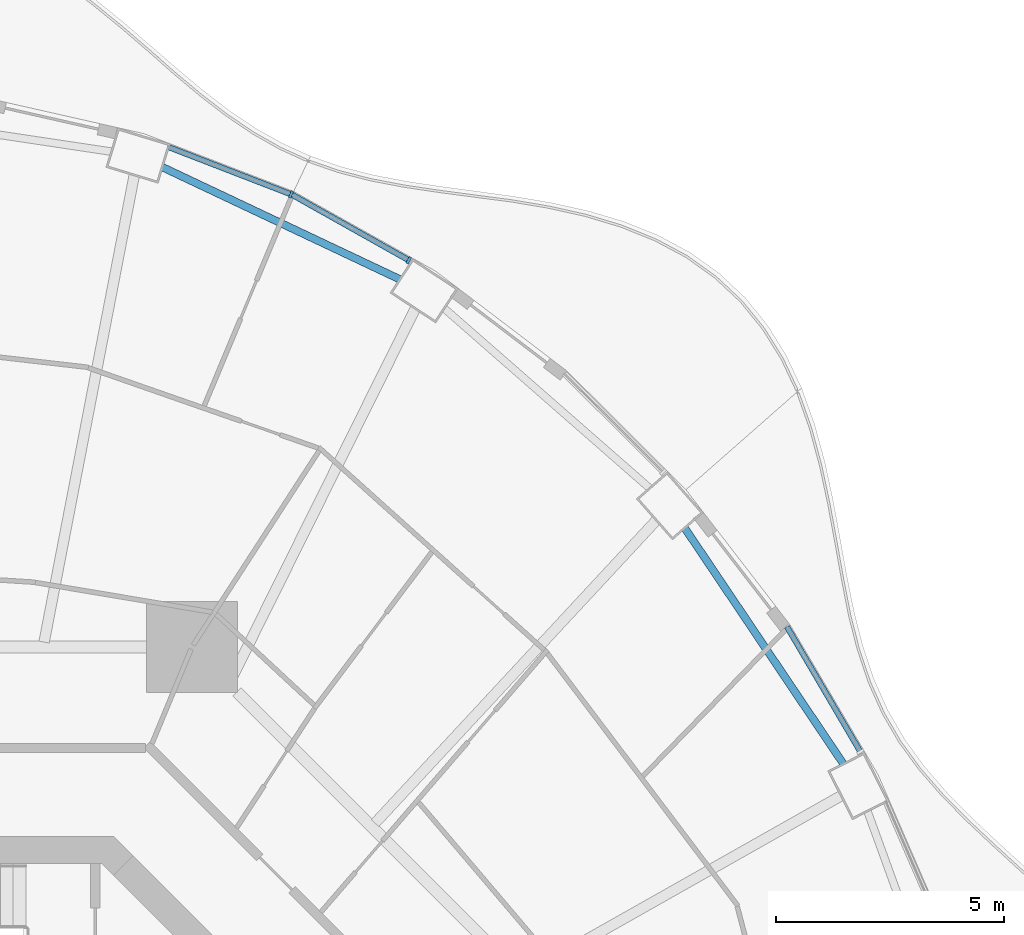
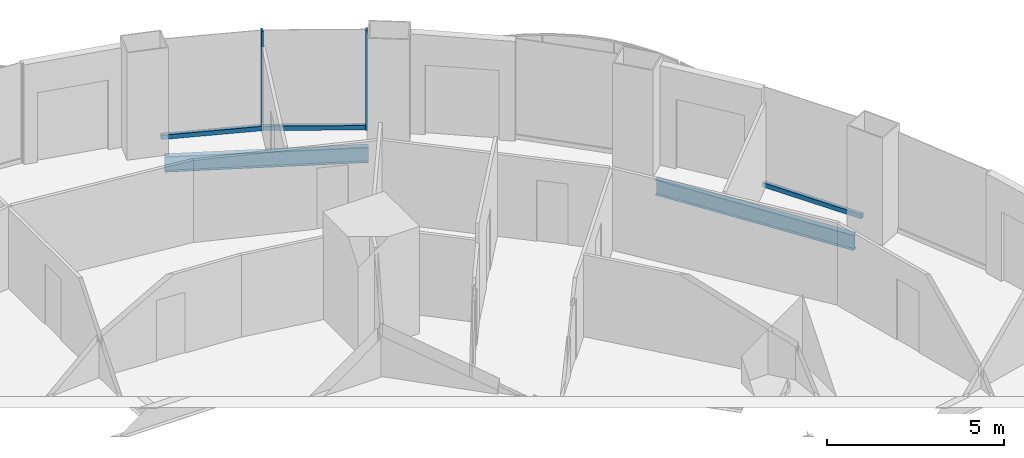
# One storey, part 10 of 21: 5 members, 2 beams, 3 elements without a shape of their own.
"""IFC4 building model written with IfcOpenShell, lengths in metres."""

import ifcopenshell
import ifcopenshell.guid

model = None  # the IFC model being written
_history = None  # IfcOwnerHistory: only IFC2X3 demands one
_inside = {}  # id of a spatial element -> (the spatial element, [elements in it])
_under = {}  # id of a project, library or spatial element -> (it, [spatial elements below it])
_declared = {}  # id of a project -> (the project, [libraries it declares])
_typed = {}  # id of a type object -> (the type object, [elements of that type])
_made_of = {}  # id of a material, layer set ... -> (it, [elements and type objects made of it])


def new_model(schema):
    """Start an empty IFC model of exactly this schema.

    Asked for "IFC4X3", IfcOpenShell would pick the latest addendum, in which some entities
    have other attributes; the version numbers below select the first issue.
    IFC2X3 requires an IfcOwnerHistory on every rooted entity: one is made here for all.
    """
    global model, _history
    if schema == "IFC4X3":
        model = ifcopenshell.file(schema_version=(4, 3, 0, 0))
    else:
        model = ifcopenshell.file(schema=schema)
    _inside.clear()
    _under.clear()
    _declared.clear()
    _typed.clear()
    _made_of.clear()
    _history = None
    if model.schema == "IFC2X3":
        org = make("IfcOrganization", Name="unknown")
        user = make(
            "IfcPersonAndOrganization",
            ThePerson=make("IfcPerson", FamilyName="unknown"),
            TheOrganization=org,
        )
        app = make(
            "IfcApplication",
            ApplicationDeveloper=org,
            Version="unknown",
            ApplicationFullName="unknown",
            ApplicationIdentifier="unknown",
        )
        _history = make(
            "IfcOwnerHistory",
            OwningUser=user,
            OwningApplication=app,
            ChangeAction="ADDED",
            CreationDate=0,
        )
    return model


def make(cls, **values):
    """One entity of the class cls with the attributes given. An attribute that is None is left unset."""
    return model.create_entity(
        cls, **{name: value for name, value in values.items() if value is not None}
    )


def rooted(cls, **values):
    """An entity with a GlobalId (a new one), such as an element, a storey or a relation."""
    return make(cls, GlobalId=ifcopenshell.guid.new(), OwnerHistory=_history, **values)


def si_unit(unit_type, name, prefix=None):
    """IfcSIUnit, for example si_unit("LENGTHUNIT", "METRE", prefix="MILLI")."""
    return make("IfcSIUnit", UnitType=unit_type, Prefix=prefix, Name=name)


def assignment(units):
    """IfcUnitAssignment: the units of a project."""
    return None if units is None else make("IfcUnitAssignment", Units=units)


def point(xyz):
    """IfcCartesianPoint."""
    return None if xyz is None else make("IfcCartesianPoint", Coordinates=xyz)


def direction(xyz):
    """IfcDirection."""
    return None if xyz is None else make("IfcDirection", DirectionRatios=xyz)


def frame(location, z_axis=None, x_axis=None):
    """IfcAxis2Placement3D, a coordinate frame: its origin and axes. An axis left out is left unset."""
    return make(
        "IfcAxis2Placement3D",
        Location=point(location),
        Axis=direction(z_axis),
        RefDirection=direction(x_axis),
    )


def frame_2d(location, x_axis=None):
    """IfcAxis2Placement2D, a coordinate frame in the plane: its origin and x axis."""
    return make(
        "IfcAxis2Placement2D", Location=point(location), RefDirection=direction(x_axis)
    )


def origin():
    """The frame at (0, 0, 0) with its axes left unset."""
    return frame((0.0, 0.0, 0.0))


def origin_2d():
    """The frame at (0, 0) in the plane with its x axis left unset."""
    return frame_2d((0.0, 0.0))


def place(relative_to, where):
    """IfcLocalPlacement: puts the frame where relative to a parent placement (None: the world)."""
    return make(
        "IfcLocalPlacement", PlacementRelTo=relative_to, RelativePlacement=where
    )


def context(
    kind, dimensions, precision=None, world=None, true_north=None, identifier=None
):
    """IfcGeometricRepresentationContext, for example the 3D "Model" context."""
    return make(
        "IfcGeometricRepresentationContext",
        ContextIdentifier=identifier,
        ContextType=kind,
        CoordinateSpaceDimension=dimensions,
        Precision=precision,
        WorldCoordinateSystem=world,
        TrueNorth=true_north,
    )


def subcontext(parent, identifier, kind, view, scale=None):
    """IfcGeometricRepresentationSubContext, for example "Body" below "Model"."""
    return make(
        "IfcGeometricRepresentationSubContext",
        ContextIdentifier=identifier,
        ContextType=kind,
        ParentContext=parent,
        TargetScale=scale,
        TargetView=view,
    )


def project(units=None, contexts=None):
    """IfcProject with its units and contexts."""
    return rooted(
        "IfcProject",
        Name="project",
        RepresentationContexts=contexts,
        UnitsInContext=assignment(units),
    )


def spatial(cls, under=None, at=None, **own):
    """A site, building, storey or space (cls), placed at a placement, below another one or the project."""
    s = rooted(cls, ObjectPlacement=at, **own)
    if under is not None:
        _under.setdefault(under.id(), (under, []))[1].append(s)
    return s


def profile(cls, at=None, kind="AREA", **sizes):
    """A parametric profile (cls). Its sizes go by their IFC names, for example OverallWidth=200.0."""
    return make(cls, ProfileType=kind, Position=at, **sizes)


def rectangle(**sizes):
    """IfcRectangleProfileDef."""
    return profile("IfcRectangleProfileDef", **sizes)


def i_section(**sizes):
    """IfcIShapeProfileDef."""
    return profile("IfcIShapeProfileDef", **sizes)


def extrude(swept, where, along, depth):
    """IfcExtrudedAreaSolid: the profile swept, set in the frame where, extruded along a direction by depth."""
    return make(
        "IfcExtrudedAreaSolid",
        SweptArea=swept,
        Position=where,
        ExtrudedDirection=direction(along),
        Depth=depth,
    )


def shape(context_of_items, identifier, shape_type, items):
    """IfcShapeRepresentation: the items that make up one representation, for example the "Body"."""
    return make(
        "IfcShapeRepresentation",
        ContextOfItems=context_of_items,
        RepresentationIdentifier=identifier,
        RepresentationType=shape_type,
        Items=items,
    )


def material(Name=None, Category=None):
    """IfcMaterial."""
    return make("IfcMaterial", Name=Name, Category=Category)


def layer(
    of_material, thickness, ventilated=None, Name=None, Category=None, Priority=None
):
    """IfcMaterialLayer: one layer of a wall or slab, of a material (None: an air gap)."""
    return make(
        "IfcMaterialLayer",
        Material=of_material,
        LayerThickness=thickness,
        IsVentilated=ventilated,
        Name=Name,
        Category=Category,
        Priority=Priority,
    )


def layer_set(layers, Name=None):
    """IfcMaterialLayerSet."""
    return make("IfcMaterialLayerSet", MaterialLayers=layers, LayerSetName=Name)


def material_profile(
    of_material, cross_section, Name=None, Category=None, Priority=None
):
    """IfcMaterialProfile: a cross section and its material."""
    return make(
        "IfcMaterialProfile",
        Name=Name,
        Material=of_material,
        Profile=cross_section,
        Priority=Priority,
        Category=Category,
    )


def profile_set(profiles, Name=None, composite=None):
    """IfcMaterialProfileSet."""
    return make(
        "IfcMaterialProfileSet",
        Name=Name,
        MaterialProfiles=profiles,
        CompositeProfile=composite,
    )


def made_of(thing, what):
    """Note that an element or type object is made of a material, layer set ...; save() writes the relation."""
    if what is not None:
        _made_of.setdefault(what.id(), (what, []))[1].append(thing)
    return thing


def type_object(cls, material=None, **own):
    """A type object (cls), such as IfcWallType, which elements share."""
    return made_of(rooted(cls, **own), material)


def element(
    cls,
    number,
    at=None,
    inside=None,
    cuts=None,
    type_object=None,
    material=None,
    context=None,
    identifier="Body",
    shape_type=None,
    held_by="IfcProductDefinitionShape",
    body=None,
    shapes=None,
    **own,
):
    """One element of the class cls, such as IfcWall. Its Tag is "e" and its number.

    at: its placement. inside: the storey or other place that contains it. cuts: it is an
    opening in that element (IfcRelVoidsElement). A single representation is given by context,
    identifier, shape_type and body (its items); several are given by shapes. held_by: the class
    of the entity that holds the representations. save() writes the other relations.
    """
    e = rooted(cls, Tag="e%d" % number, ObjectPlacement=at, **own)
    if body is not None:
        shapes = [shape(context, identifier, shape_type, body)]
    if shapes is not None:
        e.Representation = make(held_by, Representations=shapes)
    if inside is not None:
        _inside.setdefault(inside.id(), (inside, []))[1].append(e)
    if cuts is not None:
        rooted(
            "IfcRelVoidsElement", RelatingBuildingElement=cuts, RelatedOpeningElement=e
        )
    if type_object is not None:
        _typed.setdefault(type_object.id(), (type_object, []))[1].append(e)
    return made_of(e, material)


def aggregate(whole, parts):
    """IfcRelAggregates: a whole, such as a stair, and the parts it consists of."""
    return rooted("IfcRelAggregates", RelatingObject=whole, RelatedObjects=parts)


def save(model, path):
    """Write the relations noted so far, then the file.

    IfcRelAggregates (storeys below a building ...), IfcRelContainedInSpatialStructure (elements
    in a storey), IfcRelDefinesByType, IfcRelAssociatesMaterial and IfcRelDeclares: one each for
    every whole, place, type object, material and project.
    """
    for whole, parts in _under.values():
        aggregate(whole, parts)
    for where, things in _inside.values():
        rooted(
            "IfcRelContainedInSpatialStructure",
            RelatedElements=things,
            RelatingStructure=where,
        )
    for kind, things in _typed.values():
        rooted("IfcRelDefinesByType", RelatedObjects=things, RelatingType=kind)
    for what, things in _made_of.values():
        rooted("IfcRelAssociatesMaterial", RelatedObjects=things, RelatingMaterial=what)
    for by, libraries in _declared.values():
        rooted("IfcRelDeclares", RelatingContext=by, RelatedDefinitions=libraries)
    model.write(path)


model = new_model("IFC4")

# Units and contexts
model_context = context("Model", 3, precision=1e-05, world=origin(), true_north=direction((0.0, 1.0)))
body_context = subcontext(model_context, "Body", "Model", "MODEL_VIEW")
ifc_project = project(units=[si_unit("LENGTHUNIT", "METRE"), si_unit("AREAUNIT", "SQUARE_METRE"), si_unit("VOLUMEUNIT", "CUBIC_METRE"), si_unit("PLANEANGLEUNIT", "RADIAN"), si_unit("MASSUNIT", "GRAM", prefix="KILO")], contexts=[model_context])

# Site, building, storey
site_placement = place(None, origin())
site = spatial("IfcSite", under=ifc_project, at=site_placement, CompositionType="ELEMENT")
building_placement = place(site_placement, origin())
building = spatial("IfcBuilding", under=site, at=building_placement, Name="Nagisa Residences", CompositionType="ELEMENT")
storey_placement = place(building_placement, frame((0.0, 0.0, 138.10009765625)))
storey = spatial("IfcBuildingStorey", under=building, at=storey_placement, Name="L34", CompositionType="ELEMENT", Elevation=138.10009765625)

# Curtain wall, member
ifc_material_1 = material(Name="Concrete-coloured aluminium curtain wall system", Category="concrete")
ifc_layer = layer(ifc_material_1, 0.159912109375)
ifc_layer_set = layer_set([ifc_layer], Name="CW1 CURTAIN WALL")
curtain_wall_type = type_object("IfcCurtainWallType", Name="CW1 CURTAIN WALL", PredefinedType="NOTDEFINED", material=ifc_layer_set)
curtain_wall_1_placement = place(storey_placement, origin())
curtain_wall_1 = element("IfcCurtainWall", 1, at=curtain_wall_1_placement, inside=storey, type_object=curtain_wall_type, Name="cw:CW1:L34:08", PredefinedType="NOTDEFINED")
ifc_material_2 = material(Name="Concrete-coloured aluminium", Category="concrete")
ifc_material_profile_1 = material_profile(ifc_material_2, rectangle(XDim=0.159912109375, YDim=0.06005859375, at=origin_2d()), Name="CW1 MULLION 160x60")
ifc_profile_set_1 = profile_set([ifc_material_profile_1], Name="Concrete-coloured aluminium")
member_type_1 = type_object("IfcMemberType", Name="CW1 MULLION 160x60", PredefinedType="MULLION", material=ifc_profile_set_1)
member_1_placement = place(storey_placement, frame((10.87890625, 23.2705078125, 0.0), z_axis=(0.0, 0.0, 1.0), x_axis=(-0.489376918501, -0.872072377523, 0.0)))
member_1 = element("IfcMember", 2, at=member_1_placement, type_object=member_type_1, Name="CW1 mullion", PredefinedType="MULLION", context=body_context, shape_type="SweptSolid", body=[
    extrude(rectangle(XDim=0.159912109375, YDim=0.06005859375, at=origin_2d()), origin(), (0.0, 0.0, 1.0), 3.43994140625),
])

curtain_wall_2_placement = place(storey_placement, origin())
curtain_wall_2 = element("IfcCurtainWall", 3, at=curtain_wall_2_placement, inside=storey, type_object=curtain_wall_type, Name="cw:CW1:L34:09", PredefinedType="NOTDEFINED")
member_2_placement = place(storey_placement, frame((8.297607421875, 24.715087890625, 0.0), z_axis=(0.0, 0.0, 1.0), x_axis=(-0.360327770268, -0.932825759707, 0.0)))
member_2 = element("IfcMember", 4, at=member_2_placement, type_object=member_type_1, Name="CW1 mullion", PredefinedType="MULLION", context=body_context, shape_type="SweptSolid", body=[
    extrude(rectangle(XDim=0.159912109375, YDim=0.06005859375, at=origin_2d()), origin(), (0.0, 0.0, 1.0), 3.43994140625),
])

curtain_wall_3_placement = place(storey_placement, origin())
curtain_wall_3 = element("IfcCurtainWall", 5, at=curtain_wall_3_placement, inside=storey, type_object=curtain_wall_type, Name="cw:CW1:L34:04", PredefinedType="NOTDEFINED")
ifc_material_3 = material(Name="Concrete-coloured aluminium", Category="concrete")
ifc_material_profile_2 = material_profile(ifc_material_3, rectangle(XDim=0.1201171875, YDim=0.14990234375, at=origin_2d()), Name="CW1 TRANSOM 120x150")
ifc_profile_set_2 = profile_set([ifc_material_profile_2], Name="Concrete-coloured aluminium")
member_type_2 = type_object("IfcMemberType", Name="CW1 TRANSOM 120x150", PredefinedType="USERDEFINED", material=ifc_profile_set_2)
member_3_placement = place(storey_placement, frame((20.80712890625, 12.456787109375, 0.074951171875), z_axis=(-0.506348207891, 0.86232910908, 0.0), x_axis=(-0.86232910908, -0.506348207891, 0.0)))
member_3 = element("IfcMember", 6, at=member_3_placement, type_object=member_type_2, Name="CW1 transom", ObjectType="TRANSOM", PredefinedType="USERDEFINED", context=body_context, shape_type="SweptSolid", body=[
    extrude(rectangle(XDim=0.1201171875, YDim=0.14990234375, at=origin_2d()), origin(), (0.0, 0.0, 1.0), 3.208251953125),
])
aggregate(curtain_wall_3, [member_3])

# Member
member_4_placement = place(storey_placement, frame((10.905029296875, 23.255859375, 0.074951171875), z_axis=(-0.872082282638, 0.489359267112, 0.0), x_axis=(-0.489359267112, -0.872082282638, 0.0)))
member_4 = element("IfcMember", 7, at=member_4_placement, type_object=member_type_2, Name="CW1 transom", ObjectType="TRANSOM", PredefinedType="USERDEFINED", context=body_context, shape_type="SweptSolid", body=[
    extrude(rectangle(XDim=0.1201171875, YDim=0.14990234375, at=origin_2d()), origin(), (0.0, 0.0, 1.0), 2.969482421875),
])

aggregate(curtain_wall_1, [member_1, member_4])

member_5_placement = place(storey_placement, frame((8.32568359375, 24.704345703125, 0.074951171875), z_axis=(-0.932845344347, 0.360277064952, 0.0), x_axis=(-0.360277064952, -0.932845344347, 0.0)))
member_5 = element("IfcMember", 8, at=member_5_placement, type_object=member_type_2, Name="CW1 transom", ObjectType="TRANSOM", PredefinedType="USERDEFINED", context=body_context, shape_type="SweptSolid", body=[
    extrude(rectangle(XDim=0.1201171875, YDim=0.14990234375, at=origin_2d()), origin(), (0.0, 0.0, 1.0), 2.92333984375),
])

aggregate(curtain_wall_2, [member_2, member_5])

# Beams
ifc_material_4 = material(Name="Steel ASTM A572 Gr 50", Category="steel")
ifc_material_profile_3 = material_profile(ifc_material_4, i_section(OverallWidth=0.166015625, OverallDepth=0.534912109375, WebThickness=0.01025390625, FlangeThickness=0.0166015625, at=origin_2d()), Name="W530x85")
ifc_profile_set_3 = profile_set([ifc_material_profile_3], Name="Steel ASTM A572 Gr 50")
beam_type = type_object("IfcBeamType", Name="Perimeter ring beam W530x85", PredefinedType="BEAM", material=ifc_profile_set_3)
beam_1_placement = place(storey_placement, frame((20.420654296875, 12.21484375, -0.527587890625), z_axis=(-0.558187951157, 0.82971453596, 0.0), x_axis=(-0.82971453596, -0.558187951157, 0.0)))
element("IfcBeam", 9, at=beam_1_placement, inside=storey, type_object=beam_type, Name="beam:L34:pb03", PredefinedType="BEAM", context=body_context, shape_type="SweptSolid", body=[
    extrude(i_section(OverallWidth=0.166015625, OverallDepth=0.534912109375, WebThickness=0.01025390625, FlangeThickness=0.0166015625, at=origin_2d()), origin(), (0.0, 0.0, 1.0), 6.24267578125),
])
beam_2_placement = place(storey_placement, frame((10.687744140625, 22.84912109375, -0.527587890625), z_axis=(-0.904169699539, 0.427173447719, 0.0), x_axis=(-0.427173447719, -0.904169699539, 0.0)))
element("IfcBeam", 10, at=beam_2_placement, inside=storey, type_object=beam_type, Name="beam:L34:pb05", PredefinedType="BEAM", context=body_context, shape_type="SweptSolid", body=[
    extrude(i_section(OverallWidth=0.166015625, OverallDepth=0.534912109375, WebThickness=0.01025390625, FlangeThickness=0.0166015625, at=origin_2d()), origin(), (0.0, 0.0, 1.0), 5.7724609375),
])

save(model, "model.ifc")
